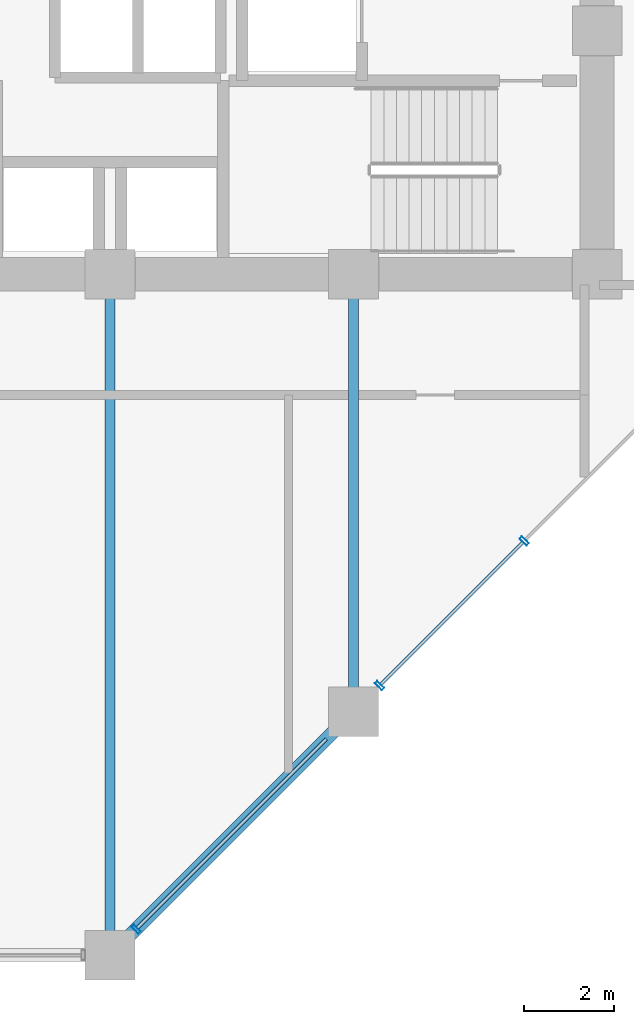
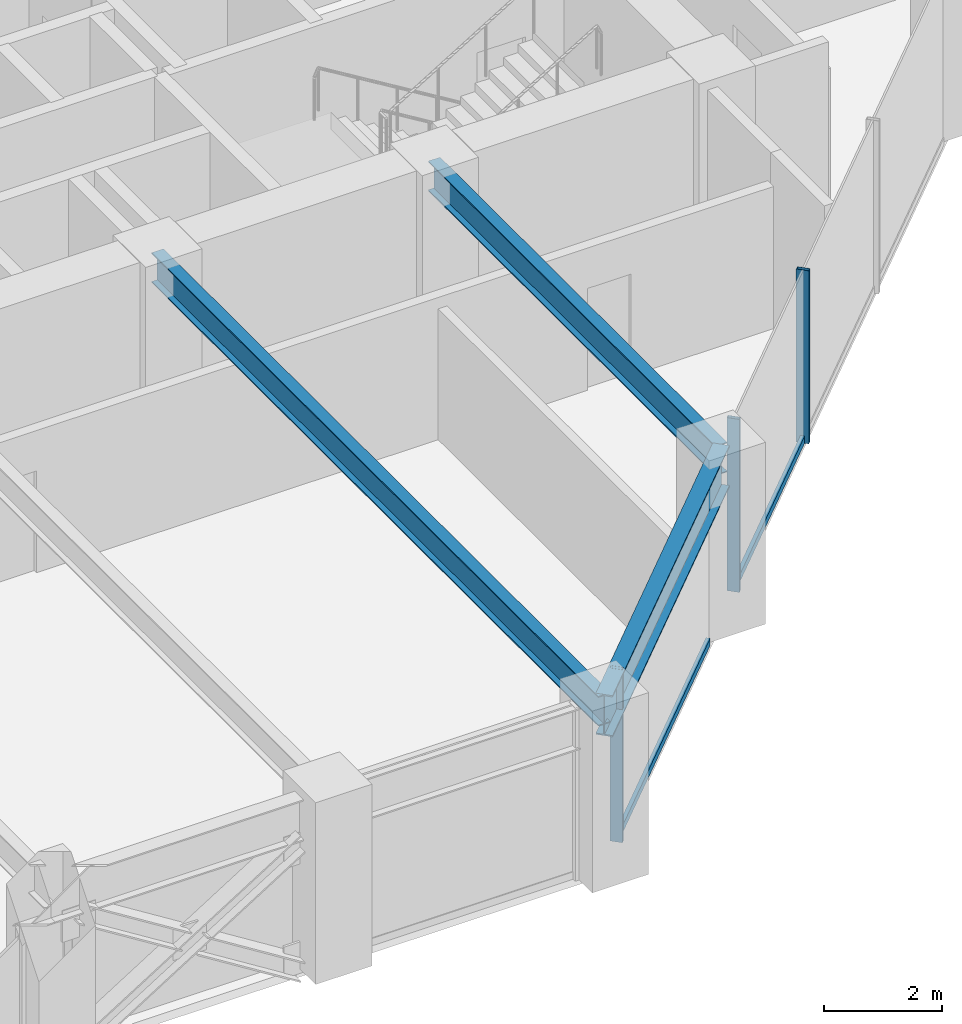
# One storey, part 7 of 25: 5 members, 3 beams, 1 element without a shape of its own.
"""IFC4 building model written with IfcOpenShell, lengths in metres."""

from ifc_helpers import new_model, si_unit, direction, frame, origin, origin_2d, place, context, subcontext, project, spatial, hollow_rectangle, i_section, extrude, material, layer, layer_set, material_profile, profile_set, type_object, element, aggregate, save


model = new_model("IFC4")

# Units and contexts
model_context = context("Model", 3, precision=1e-05, world=origin(), true_north=direction((0.0, 1.0)))
body_context = subcontext(model_context, "Body", "Model", "MODEL_VIEW")
ifc_project = project(units=[si_unit("LENGTHUNIT", "METRE"), si_unit("AREAUNIT", "SQUARE_METRE"), si_unit("VOLUMEUNIT", "CUBIC_METRE"), si_unit("PLANEANGLEUNIT", "RADIAN"), si_unit("MASSUNIT", "GRAM", prefix="KILO")], contexts=[model_context])

# Site, building, storey
site_placement = place(None, origin())
site = spatial("IfcSite", under=ifc_project, at=site_placement, CompositionType="ELEMENT")
building_placement = place(site_placement, origin())
building = spatial("IfcBuilding", under=site, at=building_placement, Name="Surkhivell Harbour Commons", CompositionType="ELEMENT")
storey_placement = place(building_placement, frame((0.0, 0.0, 109.5)))
storey = spatial("IfcBuildingStorey", under=building, at=storey_placement, Name="L28", CompositionType="ELEMENT", Elevation=109.5)

# Beams
ifc_material_1 = material(Name="Steel S355", Category="steel")
ifc_material_profile_1 = material_profile(ifc_material_1, i_section(OverallWidth=0.22998046875, OverallDepth=0.616943359375, WebThickness=0.01318359375, FlangeThickness=0.022216796875, at=origin_2d()), Name="UB610x229x140")
ifc_profile_set_1 = profile_set([ifc_material_profile_1], Name="Steel S355")
beam_type_1 = type_object("IfcBeamType", Name="BM-GRD-610B", PredefinedType="BEAM", material=ifc_profile_set_1)
beam_1_placement = place(storey_placement, frame((0.0, -25.89990234375, 3.261474609375), z_axis=(0.0, 1.0, 0.0), x_axis=(-1.0, 0.0, 0.0)))
element("IfcBeam", 1, at=beam_1_placement, inside=storey, type_object=beam_type_1, Name="L28 Floor Girder (0.0,-25.9)", PredefinedType="BEAM", context=body_context, shape_type="SweptSolid", body=[
    extrude(i_section(OverallWidth=0.22998046875, OverallDepth=0.616943359375, WebThickness=0.01318359375, FlangeThickness=0.022216796875, at=origin_2d()), origin(), (0.0, 0.0, 1.0), 15.099853515625),
])
beam_2_placement = place(storey_placement, frame((5.39990234375, -20.5, 3.261474609375), z_axis=(0.0, 1.0, 0.0), x_axis=(-1.0, 0.0, 0.0)))
element("IfcBeam", 2, at=beam_2_placement, inside=storey, type_object=beam_type_1, Name="L28 Floor Girder (5.4,-20.5)", PredefinedType="BEAM", context=body_context, shape_type="SweptSolid", body=[
    extrude(i_section(OverallWidth=0.22998046875, OverallDepth=0.616943359375, WebThickness=0.01318359375, FlangeThickness=0.022216796875, at=origin_2d()), origin(), (0.0, 0.0, 1.0), 9.699951171875),
])
ifc_material_2 = material(Name="Steel S460", Category="steel")
ifc_material_profile_2 = material_profile(ifc_material_2, i_section(OverallWidth=0.2939453125, OverallDepth=0.85107421875, WebThickness=0.01611328125, FlangeThickness=0.02685546875, at=origin_2d()), Name="UB838x292x226")
ifc_profile_set_2 = profile_set([ifc_material_profile_2], Name="Steel S460")
beam_type_2 = type_object("IfcBeamType", Name="BM-SPN-838", PredefinedType="SPANDREL", material=ifc_profile_set_2)
beam_3_placement = place(storey_placement, frame((0.0, -25.89990234375, 3.14453125), z_axis=(0.707106781187, 0.707106781187, 0.0), x_axis=(-0.707106781187, 0.707106781187, 0.0)))
element("IfcBeam", 3, at=beam_3_placement, inside=storey, type_object=beam_type_2, Name="L28 Tube Spandrel (-0.0,-25.9)", PredefinedType="SPANDREL", context=body_context, shape_type="SweptSolid", body=[
    extrude(i_section(OverallWidth=0.2939453125, OverallDepth=0.85107421875, WebThickness=0.01611328125, FlangeThickness=0.02685546875, at=origin_2d()), origin(), (0.0, 0.0, 1.0), 7.63671875),
])

# Curtain wall, members
ifc_material_3 = material(Name="Anodised pale-metal aluminium and insulated glazing", Category="aluminium")
ifc_layer = layer(ifc_material_3, 0.205078125)
ifc_layer_set = layer_set([ifc_layer], Name="Anodised pale-metal aluminium and insulated glazing")
curtain_wall_type = type_object("IfcCurtainWallType", Name="CW-SYS-Z2", PredefinedType="NOTDEFINED", material=ifc_layer_set)
curtain_wall_placement = place(storey_placement, origin())
curtain_wall = element("IfcCurtainWall", 4, at=curtain_wall_placement, inside=storey, type_object=curtain_wall_type, Name="L28 Curtain Wall CW-L28-E01", PredefinedType="NOTDEFINED")
ifc_material_4 = material(Name="Anodised pale-metal aluminium alloy 6063-T6", Category="aluminium")
ifc_material_profile_3 = material_profile(ifc_material_4, hollow_rectangle(XDim=0.074951171875, YDim=0.219970703125, WallThickness=0.00390625, at=origin_2d()), Name="ALU-MULL-75x220")
ifc_profile_set_3 = profile_set([ifc_material_profile_3], Name="Anodised pale-metal aluminium alloy 6063-T6")
member_type_1 = type_object("IfcMemberType", Name="CWM-220", PredefinedType="MULLION", material=ifc_profile_set_3)
member_1_placement = place(storey_placement, frame((0.578125, -25.32177734375, 0.0), z_axis=(0.0, 0.0, 1.0), x_axis=(0.707106781187, 0.707106781187, 0.0)))
member_1 = element("IfcMember", 5, at=member_1_placement, type_object=member_type_1, Name="CW-Z2 mullion 1", PredefinedType="MULLION", context=body_context, shape_type="SweptSolid", body=[
    extrude(hollow_rectangle(XDim=0.074951171875, YDim=0.219970703125, WallThickness=0.00390625, at=origin_2d()), origin(), (0.0, 0.0, 1.0), 3.570068359375),
])
member_2_placement = place(storey_placement, frame((5.978271484375, -19.921875, 0.0), z_axis=(0.0, 0.0, 1.0), x_axis=(0.707106781187, 0.707106781187, 0.0)))
member_2 = element("IfcMember", 6, at=member_2_placement, type_object=member_type_1, Name="CW-Z2 mullion 2", PredefinedType="MULLION", context=body_context, shape_type="SweptSolid", body=[
    extrude(hollow_rectangle(XDim=0.074951171875, YDim=0.219970703125, WallThickness=0.00390625, at=origin_2d()), origin(), (0.0, 0.0, 1.0), 3.570068359375),
])
member_3_placement = place(storey_placement, frame((9.183837890625, -16.716064453125, 0.0), z_axis=(0.0, 0.0, 1.0), x_axis=(0.707106781187, 0.707106781187, 0.0)))
member_3 = element("IfcMember", 7, at=member_3_placement, type_object=member_type_1, Name="CW-Z2 mullion 3", PredefinedType="MULLION", context=body_context, shape_type="SweptSolid", body=[
    extrude(hollow_rectangle(XDim=0.074951171875, YDim=0.219970703125, WallThickness=0.00390625, at=origin_2d()), origin(), (0.0, 0.0, 1.0), 3.570068359375),
])
ifc_material_profile_4 = material_profile(ifc_material_4, hollow_rectangle(XDim=0.074951171875, YDim=0.14990234375, WallThickness=0.00341796875, at=origin_2d()), Name="ALU-TRAN-75x150")
ifc_profile_set_4 = profile_set([ifc_material_profile_4], Name="Anodised pale-metal aluminium alloy 6063-T6")
member_type_2 = type_object("IfcMemberType", Name="CWT-150", PredefinedType="USERDEFINED", material=ifc_profile_set_4)
member_4_placement = place(storey_placement, frame((0.604736328125, -25.295166015625, 0.074951171875), z_axis=(0.707106781187, 0.707106781187, 0.0), x_axis=(-0.707106781187, 0.707106781187, 0.0)))
member_4 = element("IfcMember", 8, at=member_4_placement, type_object=member_type_2, Name="CW-Z2 transom 1.1", ObjectType="TRANSOM", PredefinedType="USERDEFINED", context=body_context, shape_type="SweptSolid", body=[
    extrude(hollow_rectangle(XDim=0.074951171875, YDim=0.14990234375, WallThickness=0.00341796875, at=origin_2d()), origin(), (0.0, 0.0, 1.0), 5.92626953125),
])
member_5_placement = place(storey_placement, frame((6.004638671875, -19.895263671875, 0.074951171875), z_axis=(0.707134159244, 0.707079402069, 0.0), x_axis=(-0.707079402069, 0.707134159244, 0.0)))
member_5 = element("IfcMember", 9, at=member_5_placement, type_object=member_type_2, Name="CW-Z2 transom 2.1", ObjectType="TRANSOM", PredefinedType="USERDEFINED", context=body_context, shape_type="SweptSolid", body=[
    extrude(hollow_rectangle(XDim=0.074951171875, YDim=0.14990234375, WallThickness=0.00341796875, at=origin_2d()), origin(), (0.0, 0.0, 1.0), 4.45849609375),
])
aggregate(curtain_wall, [member_1, member_4, member_2, member_3, member_5])

save(model, "model.ifc")
